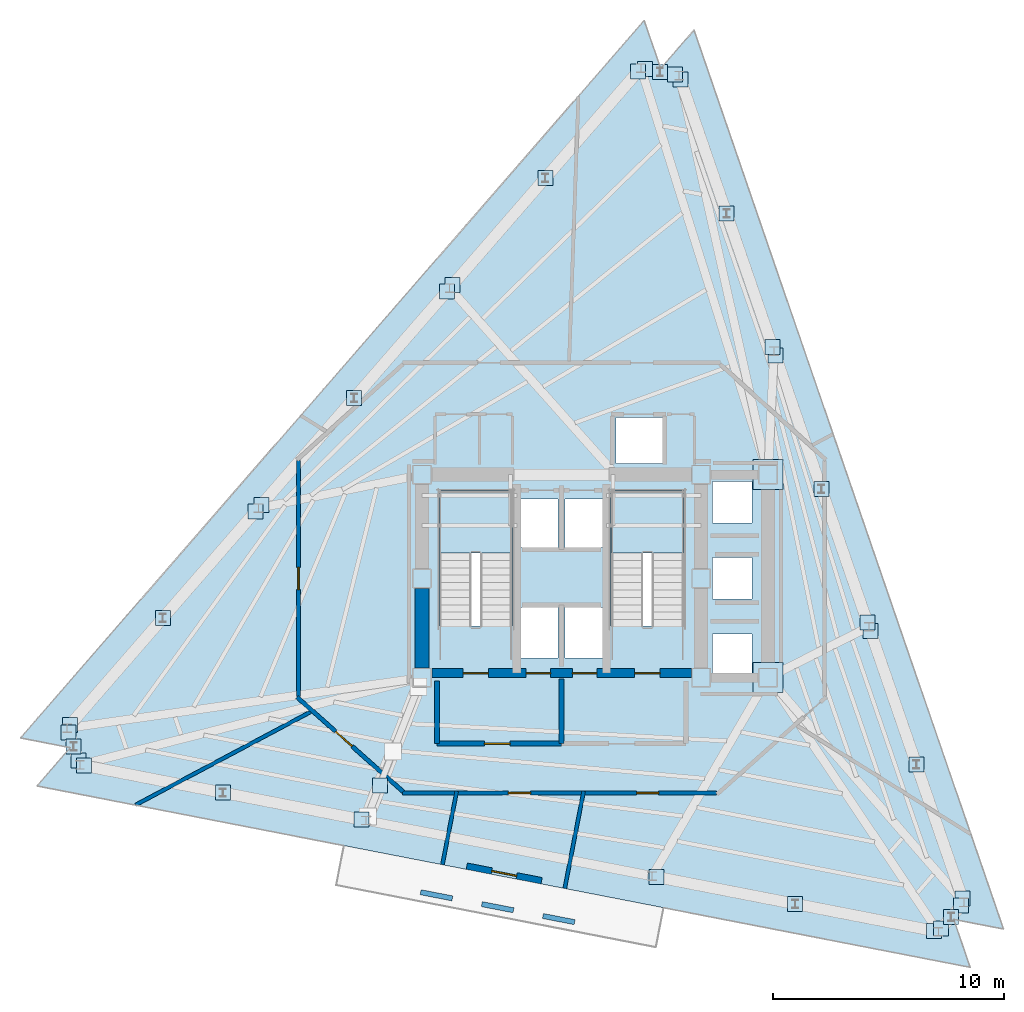
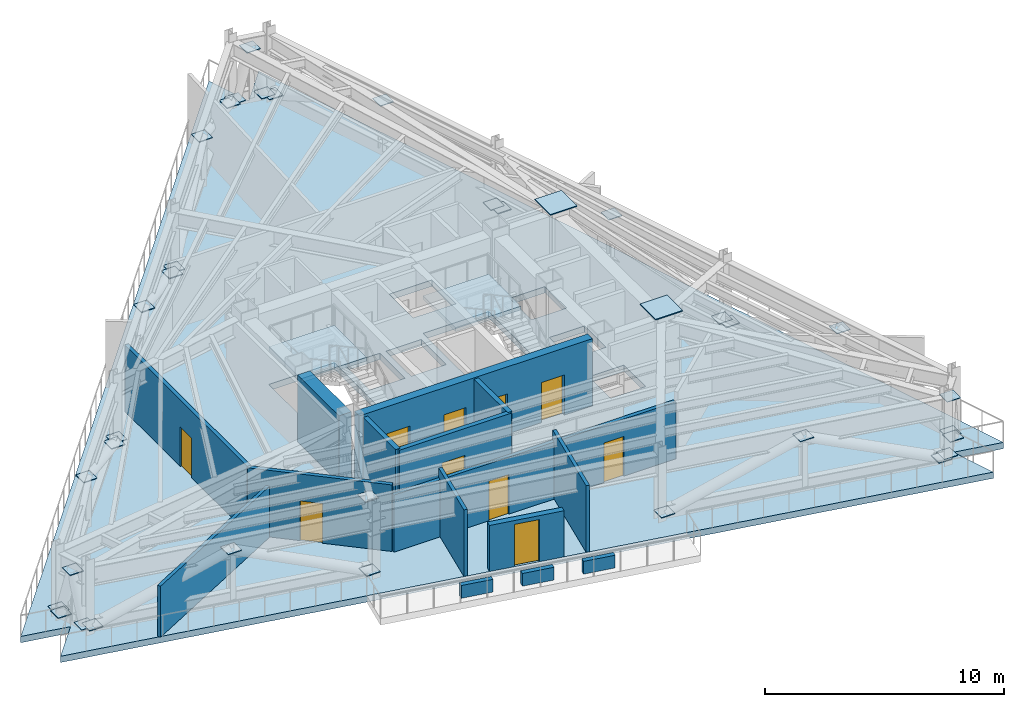
# One storey, part 4 of 8: 36 plates, 15 walls, 10 doors, 3 slabs, 10 openings, 2 elements without a shape of their own.
"""IFC4 building model written with IfcOpenShell, lengths in metres."""

from ifc_helpers import new_model, si_unit, direction, frame, frame_2d, origin, origin_2d, place, context, subcontext, project, spatial, polyline, rectangle, outline, extrude, material, layer, layer_set, type_object, element, fill, aggregate, save


model = new_model("IFC4")

# Units and contexts
model_context = context("Model", 3, precision=1e-05, world=origin(), true_north=direction((0.0, 1.0)))
body_context = subcontext(model_context, "Body", "Model", "MODEL_VIEW")
ifc_project = project(units=[si_unit("LENGTHUNIT", "METRE"), si_unit("AREAUNIT", "SQUARE_METRE"), si_unit("VOLUMEUNIT", "CUBIC_METRE"), si_unit("PLANEANGLEUNIT", "RADIAN"), si_unit("MASSUNIT", "GRAM", prefix="KILO")], contexts=[model_context])

# Site, building, storey
site_placement = place(None, origin())
site = spatial("IfcSite", under=ifc_project, at=site_placement, CompositionType="ELEMENT")
building_placement = place(site_placement, origin())
building = spatial("IfcBuilding", under=site, at=building_placement, Name="Rocaltana Carrier Exchange", CompositionType="ELEMENT")
storey_placement = place(building_placement, frame((0.0, 0.0, 171.52001953125)))
storey = spatial("IfcBuildingStorey", under=building, at=storey_placement, Name="L54", CompositionType="ELEMENT", Elevation=171.52001953125)

# Plates
ifc_material_1 = material(Name="Steel S460", Category="steel")
ifc_layer_1 = layer(ifc_material_1, 0.031982421875)
ifc_layer_set_1 = layer_set([ifc_layer_1], Name="Steel S460")
plate_type_1 = type_object("IfcPlateType", Name="Belt Truss Node End-Cap Plate 650x650x32", PredefinedType="USERDEFINED", material=ifc_layer_set_1)
for number, where, z_axis, x_axis, name in (
    (1, (17.372314453125, -13.859619140625, 0.333984375), (0.0, 0.0, 1.0), (1.0, 0.0, 0.0), "L54 Belt Truss Bottom Chord 1 node plate C0"),
    (2, (13.3828125, -2.27294921875, 0.333984375), (0.0, 0.0, 1.0), (1.0, 0.0, 0.0), "L54 Belt Truss Bottom Chord 1 node plate C1"),
    (3, (15.37744140625, -8.06640625, 2.82177734375), (0.0, 0.0, 1.0), (1.0, 0.0, 0.0), "L54 Belt Truss Diagonal 1A node plate C1"),
    (4, (13.25927734375, -1.91455078125, 0.333984375), (0.0, 0.0, 1.0), (1.0, 0.0, 0.0), "L54 Belt Truss Bottom Chord 2 node plate C0"),
    (5, (9.269775390625, 9.672119140625, 0.333984375), (0.0, 0.0, 1.0), (1.0, 0.0, 0.0), "L54 Belt Truss Bottom Chord 2 node plate C1"),
    (6, (11.264404296875, 3.878662109375, 2.82177734375), (0.0, 0.0, 1.0), (1.0, 0.0, 0.0), "L54 Belt Truss Diagonal 2A node plate C1"),
    (7, (9.146240234375, 10.030517578125, 0.333984375), (0.0, 0.0, 1.0), (1.0, 0.0, 0.0), "L54 Belt Truss Bottom Chord 3 node plate C0"),
    (8, (5.15673828125, 21.6171875, 0.333984375), (0.0, 0.0, 1.0), (1.0, 0.0, 0.0), "L54 Belt Truss Bottom Chord 3 node plate C1"),
    (9, (7.151611328125, 15.82373046875, 2.82177734375), (0.0, 0.0, 1.0), (1.0, 0.0, 0.0), "L54 Belt Truss Diagonal 3A node plate C1"),
    (10, (4.908935546875, 21.83251953125, 0.333984375), (0.0, 0.0, 1.0), (1.0, 0.0, 0.0), "L54 Belt Truss Bottom Chord 4 node plate C0"),
    (11, (3.626953125, 22.08154296875, 0.333984375), (0.0, 0.0, 1.0), (1.0, 0.0, 0.0), "L54 Belt Truss Bottom Chord 4 node plate C1"),
    (12, (4.26806640625, 21.95703125, 2.82177734375), (0.0, 0.0, 1.0), (1.0, 0.0, 0.0), "L54 Belt Truss Diagonal 4A node plate C1"),
    (13, (3.316650390625, 21.974853515625, 0.333984375), (0.0, 0.0, 1.0), (1.0, 0.0, 0.0), "L54 Belt Truss Bottom Chord 5 node plate C0"),
    (14, (-4.722900390625, 12.726318359375, 0.333984375), (0.0, 0.0, 1.0), (1.0, 0.0, 0.0), "L54 Belt Truss Bottom Chord 5 node plate C1"),
    (15, (-0.703125, 17.3505859375, 2.82177734375), (0.0, 0.0, 1.0), (1.0, 0.0, 0.0), "L54 Belt Truss Diagonal 5A node plate C1"),
    (16, (-4.971435546875, 12.440185546875, 0.333984375), (0.0, 0.0, 1.0), (1.0, 0.0, 0.0), "L54 Belt Truss Bottom Chord 6 node plate C0"),
    (17, (-13.010986328125, 3.19189453125, 0.333984375), (0.0, 0.0, 1.0), (1.0, 0.0, 0.0), "L54 Belt Truss Bottom Chord 6 node plate C1"),
    (18, (-8.9912109375, 7.81591796875, 2.82177734375), (0.0, 0.0, 1.0), (1.0, 0.0, 0.0), "L54 Belt Truss Diagonal 6A node plate C1"),
    (19, (-13.259765625, 2.90576171875, 0.333984375), (0.0, 0.0, 1.0), (1.0, 0.0, 0.0), "L54 Belt Truss Bottom Chord 7 node plate C0"),
    (20, (-21.29931640625, -6.3427734375, 0.333984375), (0.0, 0.0, 1.0), (1.0, 0.0, 0.0), "L54 Belt Truss Bottom Chord 7 node plate C1"),
    (21, (-17.279541015625, -1.718505859375, 2.82177734375), (0.0, 0.0, 1.0), (1.0, 0.0, 0.0), "L54 Belt Truss Diagonal 7A node plate C1"),
    (22, (-21.36181640625, -6.664794921875, 0.333984375), (0.0, 0.0, 1.0), (1.0, 0.0, 0.0), "L54 Belt Truss Bottom Chord 8 node plate C0"),
    (23, (-20.936767578125, -7.899658203125, 0.333984375), (0.0, 0.0, 1.0), (1.0, 0.0, 0.0), "L54 Belt Truss Bottom Chord 8 node plate C1"),
    (24, (-21.1494140625, -7.2822265625, 2.82177734375), (0.0, 0.0, 1.0), (1.0, 0.0, 0.0), "L54 Belt Truss Diagonal 8A node plate C1"),
    (25, (-20.689208984375, -8.114990234375, 0.333984375), (0.0, 0.0, 1.0), (1.0, 0.0, 0.0), "L54 Belt Truss Bottom Chord 9 node plate C0"),
    (26, (-8.659912109375, -10.453125, 0.333984375), (0.0, 0.0, 1.0), (1.0, 0.0, 0.0), "L54 Belt Truss Bottom Chord 9 node plate C1"),
    (27, (-14.674560546875, -9.2841796875, 2.82177734375), (0.0, 0.0, 1.0), (1.0, 0.0, 0.0), "L54 Belt Truss Diagonal 9A node plate C1"),
    (28, (4.11328125, -12.936279296875, 0.333984375), (0.0, 0.0, 1.0), (1.0, 0.0, 0.0), "L54 Belt Truss Bottom Chord 11 node plate C0"),
    (29, (16.142578125, -15.2744140625, 0.333984375), (0.0, 0.0, 1.0), (1.0, 0.0, 0.0), "L54 Belt Truss Bottom Chord 11 node plate C1"),
    (30, (10.1279296875, -14.105224609375, 2.82177734375), (0.0, 0.0, 1.0), (1.0, 0.0, 0.0), "L54 Belt Truss Diagonal 11A node plate C1"),
    (31, (16.452880859375, -15.16748046875, 0.333984375), (0.0, 0.0, 1.0), (1.0, 0.0, 0.0), "L54 Belt Truss Bottom Chord 12 node plate C0"),
    (32, (17.309814453125, -14.181884765625, 0.333984375), (0.0, 0.0, 1.0), (1.0, 0.0, 0.0), "L54 Belt Truss Bottom Chord 12 node plate C1"),
    (33, (16.88134765625, -14.6748046875, 2.82177734375), (0.0, 0.0, 1.0), (1.0, 0.0, 0.0), "L54 Belt Truss Diagonal 12A node plate C1"),
    (34, (-7.87646484375, -8.9638671875, 2.921875), (0.0, 0.0, 1.0), (1.0, 0.0, 0.0), "L54 Wind Floor Tie Strut 10 node plate C1"),
):
    element("IfcPlate", number, at=place(storey_placement, frame(where, z_axis=z_axis, x_axis=x_axis)), inside=storey, type_object=plate_type_1, Name=name, ObjectType="GUSSET PLATE", PredefinedType="USERDEFINED", context=body_context, shape_type="SweptSolid", body=[
        extrude(rectangle(XDim=0.64990234375, YDim=0.64990234375, at=origin_2d()), origin(), (0.0, 0.0, 1.0), 0.031982421875),
    ])
ifc_material_2 = material(Name="Steel S460", Category="steel")
ifc_layer_2 = layer(ifc_material_2, 0.050048828125)
ifc_layer_set_2 = layer_set([ifc_layer_2], Name="Steel S460")
plate_type_2 = type_object("IfcPlateType", Name="Column Splice Cap Plate 1300x1300x50", PredefinedType="SHEET", material=ifc_layer_set_2)
for number, where, z_axis, x_axis, name in (
    (35, (8.949951171875, 4.5, 3.81494140625), (0.0, 0.0, 1.0), (1.0, 0.0, 0.0), "Termination Cap Plate EC1"),
    (36, (8.949951171875, -4.300048828125, 3.81494140625), (0.0, 0.0, 1.0), (1.0, 0.0, 0.0), "Termination Cap Plate EC2"),
):
    element("IfcPlate", number, at=place(storey_placement, frame(where, z_axis=z_axis, x_axis=x_axis)), inside=storey, type_object=plate_type_2, Name=name, PredefinedType="SHEET", context=body_context, shape_type="SweptSolid", body=[
        extrude(rectangle(XDim=1.300048828125, YDim=1.300048828125, at=origin_2d()), origin(), (0.0, 0.0, 1.0), 0.050048828125),
    ])

# Slab
ifc_material_3 = material(Name="Concrete C50/60", Category="concrete")
ifc_layer_3 = layer(ifc_material_3, 0.320068359375)
ifc_layer_set_3 = layer_set([ifc_layer_3], Name="Concrete C50/60")
slab_type_1 = type_object("IfcSlabType", Name="Mechanical Plant Slab 320", PredefinedType="FLOOR", material=ifc_layer_set_3)
slab_1_placement = place(storey_placement, frame((0.0, 0.0, -0.320068359375)))
element("IfcSlab", 37, at=slab_1_placement, inside=storey, type_object=slab_type_1, Name="L54 Structural Floor Slab", PredefinedType="FLOOR", context=body_context, shape_type="SweptSolid", body=[
    extrude(outline(polyline([(17.709716796875, -16.852294921875), (16.993408203125, -14.772216796875), (19.153076171875, -15.19189453125), (5.73974609375, 23.76318359375), (4.29638671875, 22.10302734375), (3.580078125, 24.18310546875), (-23.449462890625, -6.910888671875), (-21.289794921875, -7.330810546875), (-22.7333984375, -8.9912109375), (17.709716796875, -16.852294921875)]), holes=[polyline([(-5.300048828125, -2.06005859375), (-2.139892578125, -2.06005859375), (-2.139892578125, 3.800048828125), (-5.300048828125, 3.800048828125), (-5.300048828125, -2.06005859375)]), polyline([(2.139892578125, -2.06005859375), (5.300048828125, -2.06005859375), (5.300048828125, 3.800048828125), (2.139892578125, 3.800048828125), (2.139892578125, -2.06005859375)]), polyline([(-1.85009765625, -3.449951171875), (-0.14990234375, -3.449951171875), (-0.14990234375, -1.25), (-1.85009765625, -1.25), (-1.85009765625, -3.449951171875)]), polyline([(0.14990234375, -3.449951171875), (1.85009765625, -3.449951171875), (1.85009765625, -1.25), (0.14990234375, -1.25), (0.14990234375, -3.449951171875)]), polyline([(2.35009765625, 4.97998046875), (4.39990234375, 4.97998046875), (4.39990234375, 6.97998046875), (2.35009765625, 6.97998046875), (2.35009765625, 4.97998046875)]), polyline([(-1.85009765625, 1.35009765625), (-0.14990234375, 1.35009765625), (-0.14990234375, 3.449951171875), (-1.85009765625, 3.449951171875), (-1.85009765625, 1.35009765625)]), polyline([(0.14990234375, 1.35009765625), (1.85009765625, 1.35009765625), (1.85009765625, 3.449951171875), (0.14990234375, 3.449951171875), (0.14990234375, 1.35009765625)]), polyline([(6.550048828125, -4.199951171875), (8.25, -4.199951171875), (8.25, -2.39990234375), (6.550048828125, -2.39990234375), (6.550048828125, -4.199951171875)]), polyline([(6.550048828125, -0.89990234375), (8.25, -0.89990234375), (8.25, 0.89990234375), (6.550048828125, 0.89990234375), (6.550048828125, -0.89990234375)]), polyline([(6.550048828125, 2.39990234375), (8.25, 2.39990234375), (8.25, 4.199951171875), (6.550048828125, 4.199951171875), (6.550048828125, 2.39990234375)])]), origin(), (0.0, 0.0, 1.0), 0.320068359375),
])

# Stair, slab
ifc_material_4 = material(Name="Precast concrete C45/55", Category="concrete")
stair_type = type_object("IfcStairType", Name="Standard Dog-Leg Stair 160", PredefinedType="HALF_TURN_STAIR", material=ifc_material_4)
stair_1_placement = place(storey_placement, origin())
stair_1 = element("IfcStair", 38, at=stair_1_placement, inside=storey, type_object=stair_type, Name="L54 Core West Exit Stair ST-1", PredefinedType="HALF_TURN_STAIR")
ifc_material_5 = material(Name="Precast concrete C45/55", Category="concrete")
ifc_layer_4 = layer(ifc_material_5, 0.199951171875)
ifc_layer_set_4 = layer_set([ifc_layer_4], Name="Precast concrete C45/55")
slab_type_2 = type_object("IfcSlabType", Name="Precast Stair Half-Landing 200", PredefinedType="LANDING", material=ifc_layer_set_4)
slab_2_placement = place(storey_placement, frame((0.0, 0.0, 1.719970703125)))
slab_2 = element("IfcSlab", 39, at=slab_2_placement, type_object=slab_type_2, Name="ST-1 landing 1", PredefinedType="LANDING", context=body_context, shape_type="SweptSolid", body=[
    extrude(outline(polyline([(-2.139892578125, 1.10009765625), (-2.139892578125, 3.800048828125), (-5.300048828125, 3.800048828125), (-5.300048828125, 1.10009765625), (-2.139892578125, 1.10009765625)])), origin(), (0.0, 0.0, 1.0), 0.199951171875),
])
aggregate(stair_1, [slab_2])

stair_2_placement = place(storey_placement, origin())
stair_2 = element("IfcStair", 40, at=stair_2_placement, inside=storey, type_object=stair_type, Name="L54 Core East Exit Stair ST-2", PredefinedType="HALF_TURN_STAIR")
slab_3_placement = place(storey_placement, frame((0.0, 0.0, 1.719970703125)))
slab_3 = element("IfcSlab", 41, at=slab_3_placement, type_object=slab_type_2, Name="ST-2 landing 1", PredefinedType="LANDING", context=body_context, shape_type="SweptSolid", body=[
    extrude(outline(polyline([(5.300048828125, 1.10009765625), (5.300048828125, 3.800048828125), (2.139892578125, 3.800048828125), (2.139892578125, 1.10009765625), (5.300048828125, 1.10009765625)])), origin(), (0.0, 0.0, 1.0), 0.199951171875),
])
aggregate(stair_2, [slab_3])

# Walls
ifc_material_6 = material(Name="Double Acoustic Gypsum Partition", Category="gypsum")
ifc_layer_5 = layer(ifc_material_6, 0.159912109375)
ifc_layer_set_5 = layer_set([ifc_layer_5], Name="Double Acoustic Gypsum Partition")
wall_type_1 = type_object("IfcWallType", Name="Acoustic Studio Partition 160 EI60", PredefinedType="PARTITIONING", material=ifc_layer_set_5)
wall_1_placement = place(storey_placement, frame((-10.869873046875, -5.779541015625, 0.0), z_axis=(0.0, 0.0, 1.0), x_axis=(-0.882949343716, -0.469468269887, 0.0)))
element("IfcWall", 42, at=wall_1_placement, inside=storey, type_object=wall_type_1, Name="L54 Suite Divider Wall D1", PredefinedType="PARTITIONING", context=body_context, shape_type="SweptSolid", body=[
    extrude(rectangle(XDim=8.590576171875, YDim=0.159912109375, at=frame_2d((4.29541015625, 0.0))), origin(), (0.0, 0.0, 1.0), 2.60009765625),
])
wall_2_placement = place(storey_placement, frame((-4.542724609375, -9.219970703125, 0.0), z_axis=(0.0, 0.0, 1.0), x_axis=(-0.190788889502, -0.98163109142, 0.0)))
element("IfcWall", 43, at=wall_2_placement, inside=storey, type_object=wall_type_1, Name="L54 Enclosure Partition 1.1", PredefinedType="PARTITIONING", context=body_context, shape_type="SweptSolid", body=[
    extrude(rectangle(XDim=3.236083984375, YDim=0.159912109375, at=frame_2d((1.6181640625, 0.0))), origin(), (0.0, 0.0, 1.0), 3.39306640625),
])
wall_3_placement = place(storey_placement, frame((0.140625, -13.427001953125, 0.0), z_axis=(0.0, 0.0, 1.0), x_axis=(0.190833065779, 0.981622504329, 0.0)))
element("IfcWall", 44, at=wall_3_placement, inside=storey, type_object=wall_type_1, Name="L54 Enclosure Partition 1.1", PredefinedType="PARTITIONING", context=body_context, shape_type="SweptSolid", body=[
    extrude(rectangle(XDim=4.285888671875, YDim=0.159912109375, at=frame_2d((2.14306640625, 0.0))), origin(), (0.0, 0.0, 1.0), 3.39306640625),
])

# Wall, openings, doors
ifc_material_7 = material(Name="Concrete C50/60", Category="concrete")
ifc_layer_6 = layer(ifc_material_7, 0.39990234375)
ifc_layer_set_6 = layer_set([ifc_layer_6], Name="Concrete C50/60")
wall_type_2 = type_object("IfcWallType", Name="Core Internal Shear Wall 400", PredefinedType="SHEAR", material=ifc_layer_set_6)
wall_4_placement = place(storey_placement, frame((-5.625, -4.10009765625, 0.0), z_axis=(0.0, 0.0, 1.0), x_axis=(1.0, 0.0, 0.0)))
wall_4 = element("IfcWall", 45, at=wall_4_placement, inside=storey, type_object=wall_type_2, Name="L54 Core Shear Wall CW-S", PredefinedType="SHEAR", context=body_context, shape_type="SweptSolid", body=[
    extrude(rectangle(XDim=11.25, YDim=0.39990234375, at=frame_2d((5.625, 0.0))), origin(), (0.0, 0.0, 1.0), 3.41796875),
])
opening_1_placement = place(wall_4_placement, frame((1.35498046875, 0.0, 0.0)))
opening_1 = element("IfcOpeningElement", 46, at=opening_1_placement, cuts=wall_4, Name="Opening D-ST110", PredefinedType="OPENING", context=body_context, shape_type="SweptSolid", body=[
    extrude(rectangle(XDim=1.10009765625, YDim=2.0400390625, at=frame_2d((0.550048828125, 1.02001953125))), frame((0.0, 0.2099609375, 0.0), z_axis=(0.0, -1.0, 0.0), x_axis=(1.0, 0.0, 0.0)), (0.0, 0.0, 1.0), 0.419921875),
])
opening_2_placement = place(wall_4_placement, frame((8.794921875, 0.0, 0.0)))
opening_2 = element("IfcOpeningElement", 47, at=opening_2_placement, cuts=wall_4, Name="Opening D-ST110", PredefinedType="OPENING", context=body_context, shape_type="SweptSolid", body=[
    extrude(rectangle(XDim=1.10009765625, YDim=2.0400390625, at=frame_2d((0.550048828125, 1.02001953125))), frame((0.0, 0.2099609375, 0.0), z_axis=(0.0, -1.0, 0.0), x_axis=(1.0, 0.0, 0.0)), (0.0, 0.0, 1.0), 0.419921875),
])
opening_3_placement = place(wall_4_placement, frame((4.094970703125, 0.0, 0.0)))
opening_3 = element("IfcOpeningElement", 48, at=opening_3_placement, cuts=wall_4, Name="Opening LD-110", PredefinedType="OPENING", context=body_context, shape_type="SweptSolid", body=[
    extrude(rectangle(XDim=1.06005859375, YDim=2.0400390625, at=frame_2d((0.530029296875, 1.02001953125))), frame((0.0, 0.2099609375, 0.0), z_axis=(0.0, -1.0, 0.0), x_axis=(1.0, 0.0, 0.0)), (0.0, 0.0, 1.0), 0.419921875),
])
opening_4_placement = place(wall_4_placement, frame((6.094970703125, 0.0, 0.0)))
opening_4 = element("IfcOpeningElement", 49, at=opening_4_placement, cuts=wall_4, Name="Opening LD-110", PredefinedType="OPENING", context=body_context, shape_type="SweptSolid", body=[
    extrude(rectangle(XDim=1.06005859375, YDim=2.0400390625, at=frame_2d((0.530029296875, 1.02001953125))), frame((0.0, 0.2099609375, 0.0), z_axis=(0.0, -1.0, 0.0), x_axis=(1.0, 0.0, 0.0)), (0.0, 0.0, 1.0), 0.419921875),
])
ifc_material_8 = material(Name="Hollow Metal Fire Door Assembly", Category="steel")
door_type_1 = type_object("IfcDoorType", Name="Exit Stair Fire Door 1100x2040 FD90S", OperationType="NOTDEFINED", PredefinedType="DOOR", material=ifc_material_8)
door_1_placement = place(opening_1_placement, origin())
door_1 = element("IfcDoor", 50, at=door_1_placement, inside=storey, type_object=door_type_1, Name="L54 Exit Stair ST1 Fire Door", OperationType="SINGLE_SWING_RIGHT", OverallHeight=2.0400390625, OverallWidth=1.10009765625, PredefinedType="DOOR", context=body_context, shape_type="SweptSolid", body=[
    extrude(rectangle(XDim=1.10009765625, YDim=2.0400390625, at=frame_2d((0.550048828125, 1.02001953125))), frame((0.0, 0.02490234375, 0.0), z_axis=(0.0, -1.0, 0.0), x_axis=(1.0, 0.0, 0.0)), (0.0, 0.0, 1.0), 0.050048828125),
])
fill(opening_1, door_1)
door_2_placement = place(opening_2_placement, origin())
door_2 = element("IfcDoor", 51, at=door_2_placement, inside=storey, type_object=door_type_1, Name="L54 Exit Stair ST2 Fire Door", OperationType="SINGLE_SWING_LEFT", OverallHeight=2.0400390625, OverallWidth=1.10009765625, PredefinedType="DOOR", context=body_context, shape_type="SweptSolid", body=[
    extrude(rectangle(XDim=1.10009765625, YDim=2.0400390625, at=frame_2d((0.550048828125, 1.02001953125))), frame((0.0, 0.02490234375, 0.0), z_axis=(0.0, -1.0, 0.0), x_axis=(1.0, 0.0, 0.0)), (0.0, 0.0, 1.0), 0.050048828125),
])
fill(opening_2, door_2)
ifc_material_9 = material(Name="Brushed Stainless Sliding Door Leaf", Category="steel")
door_type_2 = type_object("IfcDoorType", Name="Lift Landing Sliding Door 1060x2040", OperationType="NOTDEFINED", PredefinedType="DOOR", material=ifc_material_9)
door_3_placement = place(opening_3_placement, origin())
door_3 = element("IfcDoor", 52, at=door_3_placement, inside=storey, type_object=door_type_2, Name="L54 Firefighting Lift FFL1 Landing Door", OperationType="SLIDING_TO_LEFT", OverallHeight=2.0400390625, OverallWidth=1.06005859375, PredefinedType="DOOR", context=body_context, shape_type="SweptSolid", body=[
    extrude(rectangle(XDim=1.06005859375, YDim=2.0400390625, at=frame_2d((0.530029296875, 1.02001953125))), frame((0.0, 0.02490234375, 0.0), z_axis=(0.0, -1.0, 0.0), x_axis=(1.0, 0.0, 0.0)), (0.0, 0.0, 1.0), 0.050048828125),
])
fill(opening_3, door_3)
door_4_placement = place(opening_4_placement, origin())
door_4 = element("IfcDoor", 53, at=door_4_placement, inside=storey, type_object=door_type_2, Name="L54 Firefighting Lift FFL2 Landing Door", OperationType="SLIDING_TO_RIGHT", OverallHeight=2.0400390625, OverallWidth=1.06005859375, PredefinedType="DOOR", context=body_context, shape_type="SweptSolid", body=[
    extrude(rectangle(XDim=1.06005859375, YDim=2.0400390625, at=frame_2d((0.530029296875, 1.02001953125))), frame((0.0, 0.02490234375, 0.0), z_axis=(0.0, -1.0, 0.0), x_axis=(1.0, 0.0, 0.0)), (0.0, 0.0, 1.0), 0.050048828125),
])
fill(opening_4, door_4)

# Wall
ifc_material_10 = material(Name="Concrete C50/60", Category="concrete")
ifc_layer_7 = layer(ifc_material_10, 0.60009765625)
ifc_layer_set_7 = layer_set([ifc_layer_7], Name="Concrete C50/60")
wall_type_3 = type_object("IfcWallType", Name="Core Shear Wall 600", PredefinedType="SHEAR", material=ifc_layer_set_7)
wall_5_placement = place(storey_placement, frame((-6.050048828125, -3.875, 0.0), z_axis=(0.0, 0.0, 1.0), x_axis=(0.0, 1.0, 0.0)))
element("IfcWall", 54, at=wall_5_placement, inside=storey, type_object=wall_type_3, Name="L54 Core Shear Wall CW-WS", PredefinedType="SHEAR", context=body_context, shape_type="SweptSolid", body=[
    extrude(rectangle(XDim=3.449951171875, YDim=0.60009765625, at=frame_2d((1.72509765625, 0.0))), origin(), (0.0, 0.0, 1.0), 3.41796875),
])

# Wall, openings, doors
ifc_material_11 = material(Name="Gypsum & Steel Stud Partition", Category="steel")
ifc_layer_8 = layer(ifc_material_11, 0.179931640625)
ifc_layer_set_8 = layer_set([ifc_layer_8], Name="Gypsum & Steel Stud Partition")
wall_type_4 = type_object("IfcWallType", Name="Corridor Fire Partition 180 EI60", PredefinedType="PARTITIONING", material=ifc_layer_set_8)
wall_6_placement = place(storey_placement, frame((6.7099609375, -9.300048828125, 0.0), z_axis=(0.0, 0.0, 1.0), x_axis=(-1.0, 0.0, 0.0)))
wall_6 = element("IfcWall", 55, at=wall_6_placement, inside=storey, type_object=wall_type_4, Name="L54 Corridor Partition 5", PredefinedType="PARTITIONING", context=body_context, shape_type="SweptSolid", body=[
    extrude(rectangle(XDim=13.599853515625, YDim=0.179931640625, at=frame_2d((6.7998046875, 0.0))), origin(), (0.0, 0.0, 1.0), 2.906982421875),
])
opening_5_placement = place(wall_6_placement, frame((8.05322265625, 0.0, 0.0)))
opening_5 = element("IfcOpeningElement", 56, at=opening_5_placement, cuts=wall_6, Name="Opening D-RM098", PredefinedType="OPENING", context=body_context, shape_type="SweptSolid", body=[
    extrude(rectangle(XDim=0.9599609375, YDim=2.02001953125, at=frame_2d((0.47998046875, 1.010009765625))), frame((0.0, 0.099853515625, 0.0), z_axis=(0.0, -1.0, 0.0), x_axis=(1.0, 0.0, 0.0)), (0.0, 0.0, 1.0), 0.199951171875),
])
opening_6_placement = place(wall_6_placement, frame((2.5, 0.0, 0.0)))
opening_6 = element("IfcOpeningElement", 57, at=opening_6_placement, cuts=wall_6, Name="Opening D-RM098", PredefinedType="OPENING", context=body_context, shape_type="SweptSolid", body=[
    extrude(rectangle(XDim=0.9599609375, YDim=2.02001953125, at=frame_2d((0.47998046875, 1.010009765625))), frame((0.0, 0.099853515625, 0.0), z_axis=(0.0, -1.0, 0.0), x_axis=(1.0, 0.0, 0.0)), (0.0, 0.0, 1.0), 0.199951171875),
])
ifc_material_12 = material(Name="Engineered Hardwood Timber", Category="wood")
door_type_3 = type_object("IfcDoorType", Name="Workspace Single Door 960x2020", OperationType="NOTDEFINED", PredefinedType="DOOR", material=ifc_material_12)
door_5_placement = place(opening_5_placement, origin())
door_5 = element("IfcDoor", 58, at=door_5_placement, inside=storey, type_object=door_type_3, Name="L54 Sky Garden Lounge Entrance Door", OperationType="SINGLE_SWING_LEFT", OverallHeight=2.02001953125, OverallWidth=0.9599609375, PredefinedType="DOOR", context=body_context, shape_type="SweptSolid", body=[
    extrude(rectangle(XDim=0.9599609375, YDim=2.02001953125, at=frame_2d((0.47998046875, 1.010009765625))), frame((0.0, 0.02490234375, 0.0), z_axis=(0.0, -1.0, 0.0), x_axis=(1.0, 0.0, 0.0)), (0.0, 0.0, 1.0), 0.050048828125),
])
fill(opening_5, door_5)
door_6_placement = place(opening_6_placement, origin())
door_6 = element("IfcDoor", 59, at=door_6_placement, inside=storey, type_object=door_type_3, Name="L54 Adiabatic Chiller Plant Room Entrance Door", OperationType="SINGLE_SWING_RIGHT", OverallHeight=2.02001953125, OverallWidth=0.9599609375, PredefinedType="DOOR", context=body_context, shape_type="SweptSolid", body=[
    extrude(rectangle(XDim=0.9599609375, YDim=2.02001953125, at=frame_2d((0.47998046875, 1.010009765625))), frame((0.0, 0.02490234375, 0.0), z_axis=(0.0, -1.0, 0.0), x_axis=(1.0, 0.0, 0.0)), (0.0, 0.0, 1.0), 0.050048828125),
])
fill(opening_6, door_6)

# Wall, opening, door
wall_7_placement = place(storey_placement, frame((-6.8671875, -9.239990234375, 0.0), z_axis=(0.0, 0.0, 1.0), x_axis=(-0.746532095616, 0.665349404611, 0.0)))
wall_7 = element("IfcWall", 60, at=wall_7_placement, inside=storey, type_object=wall_type_4, Name="L54 Corridor Partition 6", PredefinedType="PARTITIONING", context=body_context, shape_type="SweptSolid", body=[
    extrude(rectangle(XDim=6.161865234375, YDim=0.179931640625, at=frame_2d((3.0810546875, 0.0))), origin(), (0.0, 0.0, 1.0), 3.39306640625),
])
opening_7_placement = place(wall_7_placement, frame((2.957275390625, 0.0, 0.0)))
opening_7 = element("IfcOpeningElement", 61, at=opening_7_placement, cuts=wall_7, Name="Opening D-RM098", PredefinedType="OPENING", context=body_context, shape_type="SweptSolid", body=[
    extrude(rectangle(XDim=0.9599609375, YDim=2.02001953125, at=frame_2d((0.47998046875, 1.010009765625))), frame((0.0, 0.099853515625, 0.0), z_axis=(0.0, -1.0, 0.0), x_axis=(1.0, 0.0, 0.0)), (0.0, 0.0, 1.0), 0.199951171875),
])
door_7_placement = place(opening_7_placement, origin())
door_7 = element("IfcDoor", 62, at=door_7_placement, inside=storey, type_object=door_type_3, Name="L54 High-Altitude Free-Cooling AHU Room Entrance Door", OperationType="SINGLE_SWING_LEFT", OverallHeight=2.02001953125, OverallWidth=0.9599609375, PredefinedType="DOOR", context=body_context, shape_type="SweptSolid", body=[
    extrude(rectangle(XDim=0.9599609375, YDim=2.02001953125, at=frame_2d((0.47998046875, 1.010009765625))), frame((0.0, 0.02490234375, 0.0), z_axis=(0.0, -1.0, 0.0), x_axis=(1.0, 0.0, 0.0)), (0.0, 0.0, 1.0), 0.050048828125),
])
fill(opening_7, door_7)

wall_8_placement = place(storey_placement, frame((-11.39990234375, -5.110107421875, 0.0), z_axis=(0.0, 0.0, 1.0), x_axis=(0.0, 1.0, 0.0)))
wall_8 = element("IfcWall", 63, at=wall_8_placement, inside=storey, type_object=wall_type_4, Name="L54 Corridor Partition 7", PredefinedType="PARTITIONING", context=body_context, shape_type="SweptSolid", body=[
    extrude(rectangle(XDim=10.22021484375, YDim=0.179931640625, at=frame_2d((5.110107421875, 0.0))), origin(), (0.0, 0.0, 1.0), 3.39306640625),
])
opening_8_placement = place(wall_8_placement, frame((4.6298828125, 0.0, 0.0)))
opening_8 = element("IfcOpeningElement", 64, at=opening_8_placement, cuts=wall_8, Name="Opening D-RM098", PredefinedType="OPENING", context=body_context, shape_type="SweptSolid", body=[
    extrude(rectangle(XDim=0.9599609375, YDim=2.02001953125, at=frame_2d((0.47998046875, 1.010009765625))), frame((0.0, 0.099853515625, 0.0), z_axis=(0.0, -1.0, 0.0), x_axis=(1.0, 0.0, 0.0)), (0.0, 0.0, 1.0), 0.199951171875),
])
door_8_placement = place(opening_8_placement, origin())
door_8 = element("IfcDoor", 65, at=door_8_placement, inside=storey, type_object=door_type_3, Name="L54 Pressurised Refuge Area Entrance Door", OperationType="SINGLE_SWING_RIGHT", OverallHeight=2.02001953125, OverallWidth=0.9599609375, PredefinedType="DOOR", context=body_context, shape_type="SweptSolid", body=[
    extrude(rectangle(XDim=0.9599609375, YDim=2.02001953125, at=frame_2d((0.47998046875, 1.010009765625))), frame((0.0, 0.02490234375, 0.0), z_axis=(0.0, -1.0, 0.0), x_axis=(1.0, 0.0, 0.0)), (0.0, 0.0, 1.0), 0.050048828125),
])
fill(opening_8, door_8)

# Walls
ifc_material_13 = material(Name="Autoclaved Aerated Concrete C30/37", Category="concrete")
ifc_layer_9 = layer(ifc_material_13, 0.219970703125)
ifc_layer_set_9 = layer_set([ifc_layer_9], Name="Autoclaved Aerated Concrete C30/37")
wall_type_5 = type_object("IfcWallType", Name="Firefighting Lobby Wall 220 EI120", PredefinedType="PARTITIONING", material=ifc_layer_set_9)
wall_9_placement = place(storey_placement, frame((-5.39990234375, -7.159912109375, 0.0), z_axis=(0.0, 0.0, 1.0), x_axis=(0.0, 1.0, 0.0)))
element("IfcWall", 66, at=wall_9_placement, inside=storey, type_object=wall_type_5, Name="L54 FFL Lobby 1 West Wall", PredefinedType="PARTITIONING", context=body_context, shape_type="SweptSolid", body=[
    extrude(rectangle(XDim=2.7099609375, YDim=0.219970703125, at=frame_2d((1.35498046875, 0.0))), origin(), (0.0, 0.0, 1.0), 3.39306640625),
])
wall_10_placement = place(storey_placement, frame((0.0, -7.159912109375, 0.0), z_axis=(0.0, 0.0, 1.0), x_axis=(0.0, 1.0, 0.0)))
element("IfcWall", 67, at=wall_10_placement, inside=storey, type_object=wall_type_5, Name="L54 FFL Lobby Centre Wall", PredefinedType="PARTITIONING", context=body_context, shape_type="SweptSolid", body=[
    extrude(rectangle(XDim=2.809814453125, YDim=0.219970703125, at=frame_2d((1.40478515625, 0.0))), origin(), (0.0, 0.0, 1.0), 3.39306640625),
])

# Wall, opening, door
wall_11_placement = place(storey_placement, frame((-5.39990234375, -7.159912109375, 0.0), z_axis=(0.0, 0.0, 1.0), x_axis=(1.0, 0.0, 0.0)))
wall_11 = element("IfcWall", 68, at=wall_11_placement, inside=storey, type_object=wall_type_5, Name="L54 FFL Lobby 1 South Wall", PredefinedType="PARTITIONING", context=body_context, shape_type="SweptSolid", body=[
    extrude(rectangle(XDim=5.39990234375, YDim=0.219970703125, at=frame_2d((2.699951171875, 0.0))), origin(), (0.0, 0.0, 1.0), 3.39306640625),
])
opening_9_placement = place(wall_11_placement, frame((2.050048828125, 0.0, 0.0)))
opening_9 = element("IfcOpeningElement", 69, at=opening_9_placement, cuts=wall_11, Name="Opening D-FF115", PredefinedType="OPENING", context=body_context, shape_type="SweptSolid", body=[
    extrude(rectangle(XDim=1.1201171875, YDim=2.02001953125, at=frame_2d((0.56005859375, 1.010009765625))), frame((0.0, 0.119873046875, 0.0), z_axis=(0.0, -1.0, 0.0), x_axis=(1.0, 0.0, 0.0)), (0.0, 0.0, 1.0), 0.239990234375),
])
ifc_material_14 = material(Name="Hollow Metal Fire Door Assembly", Category="steel")
door_type_4 = type_object("IfcDoorType", Name="Firefighting Lobby Door 1120x2020 FD60S", OperationType="NOTDEFINED", PredefinedType="DOOR", material=ifc_material_14)
door_9_placement = place(opening_9_placement, origin())
door_9 = element("IfcDoor", 70, at=door_9_placement, inside=storey, type_object=door_type_4, Name="L54 Firefighting Lift Lobby 1 Door", OperationType="SINGLE_SWING_RIGHT", OverallHeight=2.02001953125, OverallWidth=1.1201171875, PredefinedType="DOOR", context=body_context, shape_type="SweptSolid", body=[
    extrude(rectangle(XDim=1.1201171875, YDim=2.02001953125, at=frame_2d((0.56005859375, 1.010009765625))), frame((0.0, 0.02490234375, 0.0), z_axis=(0.0, -1.0, 0.0), x_axis=(1.0, 0.0, 0.0)), (0.0, 0.0, 1.0), 0.050048828125),
])
fill(opening_9, door_9)

ifc_material_15 = material(Name="Precast sandstone concrete C45/55", Category="masonry")
ifc_layer_10 = layer(ifc_material_15, 0.280029296875)
ifc_layer_set_10 = layer_set([ifc_layer_10], Name="Precast sandstone concrete C45/55")
wall_type_6 = type_object("IfcWallType", Name="Sky Garden Foyer Enclosure Wall 280", PredefinedType="SOLIDWALL", material=ifc_layer_set_10)
wall_12_placement = place(storey_placement, frame((-0.865478515625, -13.09912109375, 0.0), z_axis=(0.0, 0.0, 1.0), x_axis=(-0.981627709222, 0.19080629048, 0.0)))
wall_12 = element("IfcWall", 71, at=wall_12_placement, inside=storey, type_object=wall_type_6, Name="L54 Sky Garden Foyer Wall", PredefinedType="SOLIDWALL", context=body_context, shape_type="SweptSolid", body=[
    extrude(rectangle(XDim=3.2998046875, YDim=0.280029296875, at=frame_2d((1.64990234375, 0.0))), origin(), (0.0, 0.0, 1.0), 2.347900390625),
])
opening_10_placement = place(wall_12_placement, frame((1.10009765625, 0.0, 0.0)))
opening_10 = element("IfcOpeningElement", 72, at=opening_10_placement, cuts=wall_12, Name="Opening DT-110", PredefinedType="OPENING", context=body_context, shape_type="SweptSolid", body=[
    extrude(rectangle(XDim=1.10009765625, YDim=2.14990234375, at=frame_2d((0.550048828125, 1.074951171875))), frame((0.0, 0.14990234375, 0.0), z_axis=(0.0, -1.0, 0.0), x_axis=(1.0, 0.0, 0.0)), (0.0, 0.0, 1.0), 0.300048828125),
])
ifc_material_16 = material(Name="Anodised Aluminium 6063-T6", Category="aluminium")
door_type_5 = type_object("IfcDoorType", Name="Outdoor Terrace Access Door 1100x2150", OperationType="NOTDEFINED", PredefinedType="DOOR", material=ifc_material_16)
door_10_placement = place(opening_10_placement, origin())
door_10 = element("IfcDoor", 73, at=door_10_placement, inside=storey, type_object=door_type_5, Name="L54 Sky Garden Terrace Access Door", OperationType="SINGLE_SWING_RIGHT", OverallHeight=2.14990234375, OverallWidth=1.10009765625, PredefinedType="DOOR", context=body_context, shape_type="SweptSolid", body=[
    extrude(rectangle(XDim=1.10009765625, YDim=2.14990234375, at=frame_2d((0.550048828125, 1.074951171875))), frame((0.0, 0.02490234375, 0.0), z_axis=(0.0, -1.0, 0.0), x_axis=(1.0, 0.0, 0.0)), (0.0, 0.0, 1.0), 0.050048828125),
])
fill(opening_10, door_10)

# Walls
ifc_material_17 = material(Name="Precast sandstone concrete C40/50", Category="masonry")
ifc_layer_11 = layer(ifc_material_17, 0.219970703125)
ifc_layer_set_11 = layer_set([ifc_layer_11], Name="Precast sandstone concrete C40/50")
wall_type_7 = type_object("IfcWallType", Name="Sky Garden Stone Planter Curb 220", PredefinedType="USERDEFINED", material=ifc_layer_set_11)
wall_13_placement = place(storey_placement, frame((-6.10693359375, -13.59814453125, 0.0), z_axis=(0.0, 0.0, 1.0), x_axis=(0.981632630023, -0.190780973041, 0.0)))
element("IfcWall", 74, at=wall_13_placement, inside=storey, type_object=wall_type_7, Name="L54 Sky Garden Stone Planter 1", ObjectType="PLANTER", PredefinedType="USERDEFINED", context=body_context, shape_type="SweptSolid", body=[
    extrude(rectangle(XDim=1.39990234375, YDim=0.219970703125, at=frame_2d((0.699951171875, 0.0))), origin(), (0.0, 0.0, 1.0), 0.64990234375),
])
wall_14_placement = place(storey_placement, frame((-3.45654296875, -14.11328125, 0.0), z_axis=(0.0, 0.0, 1.0), x_axis=(0.98159995781, -0.190949005827, 0.0)))
element("IfcWall", 75, at=wall_14_placement, inside=storey, type_object=wall_type_7, Name="L54 Sky Garden Stone Planter 2", ObjectType="PLANTER", PredefinedType="USERDEFINED", context=body_context, shape_type="SweptSolid", body=[
    extrude(rectangle(XDim=1.400146484375, YDim=0.219970703125, at=frame_2d((0.7001953125, 0.0))), origin(), (0.0, 0.0, 1.0), 0.64990234375),
])
wall_15_placement = place(storey_placement, frame((-0.80615234375, -14.628662109375, 0.0), z_axis=(0.0, 0.0, 1.0), x_axis=(0.981632630023, -0.190780973041, 0.0)))
element("IfcWall", 76, at=wall_15_placement, inside=storey, type_object=wall_type_7, Name="L54 Sky Garden Stone Planter 3", ObjectType="PLANTER", PredefinedType="USERDEFINED", context=body_context, shape_type="SweptSolid", body=[
    extrude(rectangle(XDim=1.39990234375, YDim=0.219970703125, at=frame_2d((0.699951171875, 0.0))), origin(), (0.0, 0.0, 1.0), 0.64990234375),
])

save(model, "model.ifc")
